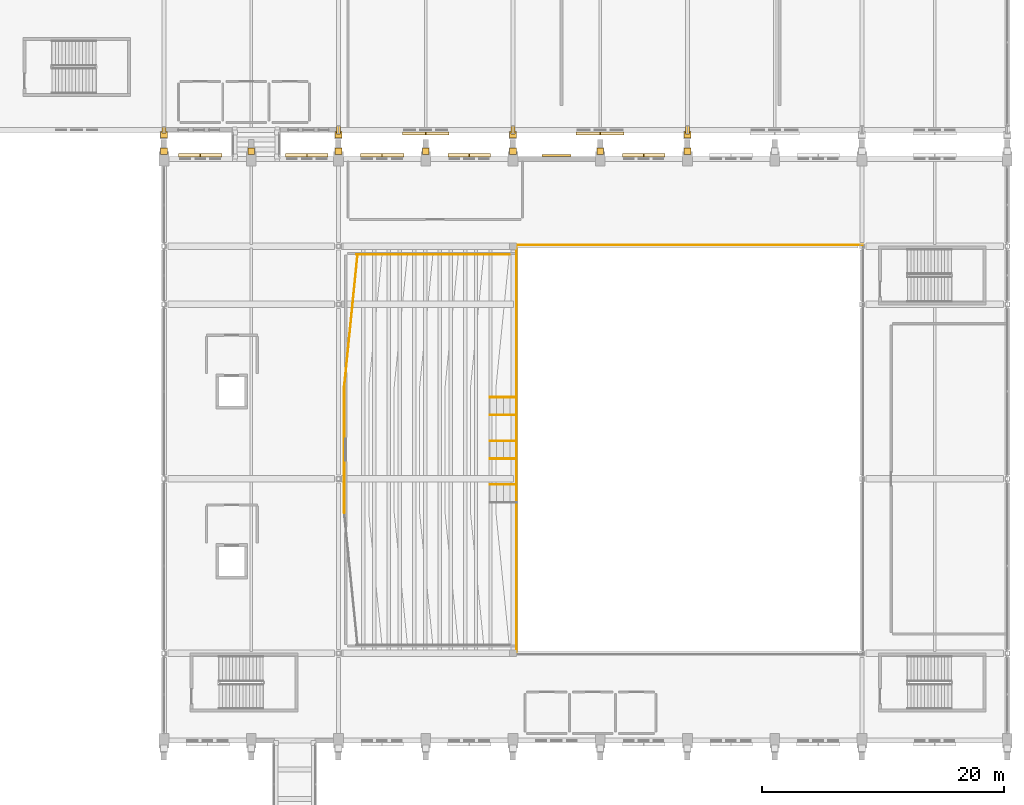
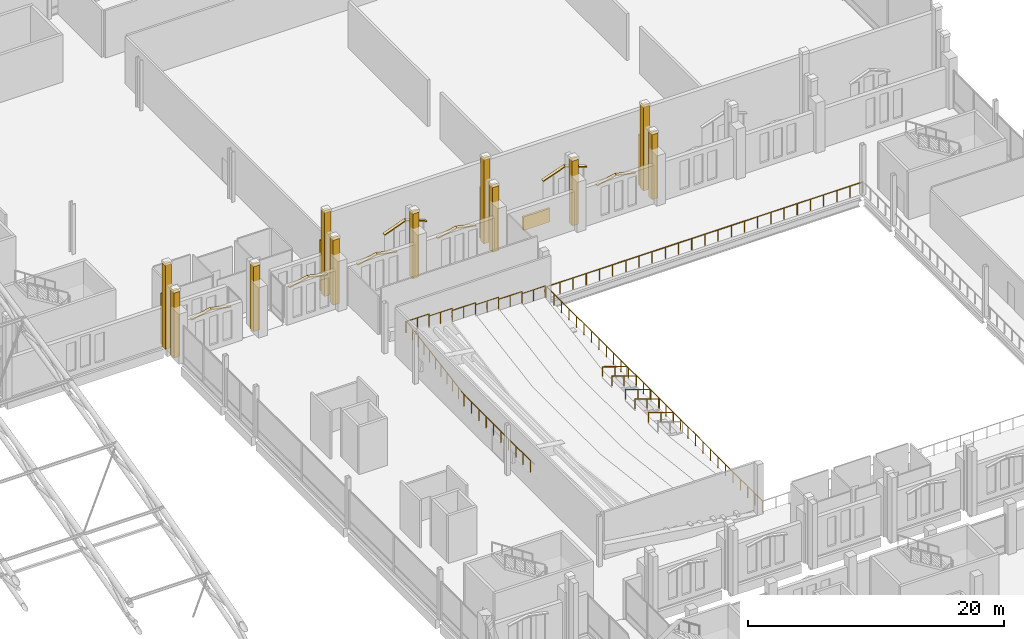
# One storey, part 187 of 193: 29 coverings, 15 railings, 1 shading device.
"""IFC4 building model written with IfcOpenShell, lengths in metres."""

from ifc_helpers import new_model, si_unit, direction, frame, origin, origin_2d, place, context, subcontext, project, spatial, polyline, rectangle, circle, outline, extrude, material, layer, layer_set, type_object, element, save


model = new_model("IFC4")

# Units and contexts
model_context = context("Model", 3, precision=1e-05, world=origin(), true_north=direction((0.0, 1.0)))
body_context = subcontext(model_context, "Body", "Model", "MODEL_VIEW")
ifc_project = project(units=[si_unit("LENGTHUNIT", "METRE"), si_unit("AREAUNIT", "SQUARE_METRE"), si_unit("VOLUMEUNIT", "CUBIC_METRE"), si_unit("PLANEANGLEUNIT", "RADIAN"), si_unit("MASSUNIT", "GRAM", prefix="KILO")], contexts=[model_context])

# Site, building, storey
site_placement = place(None, origin())
site = spatial("IfcSite", under=ifc_project, at=site_placement, CompositionType="ELEMENT")
building_placement = place(site_placement, origin())
building = spatial("IfcBuilding", under=site, at=building_placement, Name="Cendralis Lancet Convention Centre", CompositionType="ELEMENT")
storey_placement = place(building_placement, frame((0.0, 0.0, 10.199951171875)))
storey = spatial("IfcBuildingStorey", under=building, at=storey_placement, Name="L02", CompositionType="ELEMENT", Elevation=10.199951171875)

# Coverings
ifc_material_1 = material(Name="Warm buff sandstone chevron cassette", Category="masonry")
ifc_layer = layer(ifc_material_1, 0.06005859375, Name="Warm buff sandstone chevron cassette")
ifc_layer_set = layer_set([ifc_layer], Name="Warm buff sandstone chevron cassette")
covering_type = type_object("IfcCoveringType", Name="ARC-CV-CLAD1", PredefinedType="CLADDING", material=ifc_layer_set)
covering_1_placement = place(storey_placement, frame((140.404052734375, 91.64990234375, 3.27001953125), z_axis=(-0.205041599325, 0.0, 0.978753259277), x_axis=(0.0, -1.0, 0.0)))
element("IfcCovering", 1, at=covering_1_placement, inside=storey, type_object=covering_type, Name="L02 Gothic Pointed Lancet Hood-Mould #0149L", PredefinedType="CLADDING", context=body_context, shape_type="SweptSolid", body=[
    extrude(outline(polyline([(0.0, 0.0), (0.284912109375, 0.0), (0.284912109375, 1.8288971664027145), (0.0, 1.8288971664027145), (0.0, 0.0)])), origin(), (0.0, 0.0, -1.0), 0.090087890625),
])
covering_2_placement = place(storey_placement, frame((142.214111328125, 91.64990234375, 3.64501953125), z_axis=(0.205068392333, 0.0, 0.978747645957), x_axis=(0.0, -1.0, 0.0)))
element("IfcCovering", 2, at=covering_2_placement, inside=storey, type_object=covering_type, Name="L02 Gothic Pointed Lancet Hood-Mould #0150R", PredefinedType="CLADDING", context=body_context, shape_type="SweptSolid", body=[
    extrude(outline(polyline([(0.0, 0.0), (0.284912109375, 0.0), (0.284912109375, 1.8286582136554488), (0.0, 1.8286582136554488), (0.0, 0.0)])), origin(), (0.0, 0.0, -1.0), 0.090087890625),
])
for number, where, z_axis, x_axis, name in (
    (3, (149.236083984375, 91.64990234375, 3.27001953125), (-0.209529088731, 0.0, 0.977802414077), (0.0, -1.0, 0.0), "L02 Gothic Pointed Lancet Hood-Mould #0151L"),
    (4, (151.006103515625, 91.64990234375, 3.64501953125), (0.209529088731, 0.0, 0.977802414077), (0.0, -1.0, 0.0), "L02 Gothic Pointed Lancet Hood-Mould #0152R"),
):
    element("IfcCovering", number, at=place(storey_placement, frame(where, z_axis=z_axis, x_axis=x_axis)), inside=storey, type_object=covering_type, Name=name, PredefinedType="CLADDING", context=body_context, shape_type="SweptSolid", body=[
        extrude(outline(polyline([(0.0, 0.0), (0.284912109375, 0.0), (0.284912109375, 1.789727632909544), (0.0, 1.789727632909544), (0.0, 0.0)])), origin(), (0.0, 0.0, -1.0), 0.090087890625),
    ])
for number, where, z_axis, x_axis, name in (
    (5, (155.39990234375, 91.64990234375, 3.27001953125), (-0.205041599325, 0.0, 0.978753259277), (0.0, -1.0, 0.0), "L02 Gothic Pointed Lancet Hood-Mould #0153L"),
    (6, (157.2099609375, 91.64990234375, 3.64501953125), (0.205041599325, 0.0, 0.978753259277), (0.0, -1.0, 0.0), "L02 Gothic Pointed Lancet Hood-Mould #0154R"),
):
    element("IfcCovering", number, at=place(storey_placement, frame(where, z_axis=z_axis, x_axis=x_axis)), inside=storey, type_object=covering_type, Name=name, PredefinedType="CLADDING", context=body_context, shape_type="SweptSolid", body=[
        extrude(outline(polyline([(0.0, 0.0), (0.284912109375, 0.0), (0.284912109375, 1.8288971664027145), (0.0, 1.8288971664027145), (0.0, 0.0)])), origin(), (0.0, 0.0, -1.0), 0.090087890625),
    ])
for number, where, z_axis, x_axis, name in (
    (7, (162.639892578125, 91.64990234375, 3.27001953125), (-0.209529088731, 0.0, 0.977802414077), (0.0, -1.0, 0.0), "L02 Gothic Pointed Lancet Hood-Mould #0155L"),
    (8, (164.409912109375, 91.64990234375, 3.64501953125), (0.209529088731, 0.0, 0.977802414077), (0.0, -1.0, 0.0), "L02 Gothic Pointed Lancet Hood-Mould #0156R"),
    (9, (177.0400390625, 91.64990234375, 3.27001953125), (-0.209529088731, 0.0, 0.977802414077), (0.0, -1.0, 0.0), "L02 Gothic Pointed Lancet Hood-Mould #0157L"),
    (10, (178.81005859375, 91.64990234375, 3.64501953125), (0.209529088731, 0.0, 0.977802414077), (0.0, -1.0, 0.0), "L02 Gothic Pointed Lancet Hood-Mould #0158R"),
):
    element("IfcCovering", number, at=place(storey_placement, frame(where, z_axis=z_axis, x_axis=x_axis)), inside=storey, type_object=covering_type, Name=name, PredefinedType="CLADDING", context=body_context, shape_type="SweptSolid", body=[
        extrude(outline(polyline([(0.0, 0.0), (0.284912109375, 0.0), (0.284912109375, 1.789727632909544), (0.0, 1.789727632909544), (0.0, 0.0)])), origin(), (0.0, 0.0, -1.0), 0.090087890625),
    ])
covering_3_placement = place(storey_placement, origin())
element("IfcCovering", 11, at=covering_3_placement, inside=storey, type_object=covering_type, Name="Gothic Stepped Stone Buttress Shaft #0032", PredefinedType="CLADDING", context=body_context, shape_type="SweptSolid", body=[
    extrude(outline(polyline([(139.47998046875, 92.10009765625), (138.919921875, 92.10009765625), (138.919921875, 91.570068359375), (139.47998046875, 91.570068359375), (139.47998046875, 92.10009765625)])), origin(), (0.0, 0.0, 1.0), 6.199951171875),
])
covering_4_placement = place(storey_placement, origin())
element("IfcCovering", 12, at=covering_4_placement, inside=storey, type_object=covering_type, Name="Gothic Stepped Stone Buttress Shaft #0034", PredefinedType="CLADDING", context=body_context, shape_type="SweptSolid", body=[
    extrude(outline(polyline([(146.679931640625, 92.10009765625), (146.1201171875, 92.10009765625), (146.1201171875, 91.570068359375), (146.679931640625, 91.570068359375), (146.679931640625, 92.10009765625)])), origin(), (0.0, 0.0, 1.0), 6.199951171875),
])
covering_5_placement = place(storey_placement, origin())
element("IfcCovering", 13, at=covering_5_placement, inside=storey, type_object=covering_type, Name="Gothic Stepped Stone Buttress Shaft #0036", PredefinedType="CLADDING", context=body_context, shape_type="SweptSolid", body=[
    extrude(outline(polyline([(153.8798828125, 92.10009765625), (153.320068359375, 92.10009765625), (153.320068359375, 91.570068359375), (153.8798828125, 91.570068359375), (153.8798828125, 92.10009765625)])), origin(), (0.0, 0.0, 1.0), 6.199951171875),
])
covering_6_placement = place(storey_placement, origin())
element("IfcCovering", 14, at=covering_6_placement, inside=storey, type_object=covering_type, Name="Gothic Stepped Stone Buttress Shaft #0038", PredefinedType="CLADDING", context=body_context, shape_type="SweptSolid", body=[
    extrude(outline(polyline([(161.080078125, 92.10009765625), (160.52001953125, 92.10009765625), (160.52001953125, 91.570068359375), (161.080078125, 91.570068359375), (161.080078125, 92.10009765625)])), origin(), (0.0, 0.0, 1.0), 6.199951171875),
])
covering_7_placement = place(storey_placement, origin())
element("IfcCovering", 15, at=covering_7_placement, inside=storey, type_object=covering_type, Name="Gothic Stepped Stone Buttress Shaft #0040", PredefinedType="CLADDING", context=body_context, shape_type="SweptSolid", body=[
    extrude(outline(polyline([(168.280029296875, 92.10009765625), (167.719970703125, 92.10009765625), (167.719970703125, 91.570068359375), (168.280029296875, 91.570068359375), (168.280029296875, 92.10009765625)])), origin(), (0.0, 0.0, 1.0), 6.199951171875),
])
covering_8_placement = place(storey_placement, origin())
element("IfcCovering", 16, at=covering_8_placement, inside=storey, type_object=covering_type, Name="Gothic Stepped Stone Buttress Shaft #0042", PredefinedType="CLADDING", context=body_context, shape_type="SweptSolid", body=[
    extrude(outline(polyline([(175.47998046875, 92.10009765625), (174.919921875, 92.10009765625), (174.919921875, 91.570068359375), (175.47998046875, 91.570068359375), (175.47998046875, 92.10009765625)])), origin(), (0.0, 0.0, 1.0), 6.199951171875),
])
covering_9_placement = place(storey_placement, origin())
element("IfcCovering", 17, at=covering_9_placement, inside=storey, type_object=covering_type, Name="Gothic Stepped Stone Buttress Shaft #0044", PredefinedType="CLADDING", context=body_context, shape_type="SweptSolid", body=[
    extrude(outline(polyline([(182.679931640625, 92.10009765625), (182.1201171875, 92.10009765625), (182.1201171875, 91.570068359375), (182.679931640625, 91.570068359375), (182.679931640625, 92.10009765625)])), origin(), (0.0, 0.0, 1.0), 6.199951171875),
])
covering_10_placement = place(storey_placement, frame((162.719970703125, 93.159912109375, 3.820068359375), z_axis=(0.35273522267, 0.0, 0.935723176312), x_axis=(0.0, 1.0, 0.0)))
element("IfcCovering", 18, at=covering_10_placement, inside=storey, type_object=covering_type, Name="L02 Gothic Pointed Lancet Hood-Mould #0211L", PredefinedType="CLADDING", context=body_context, shape_type="SweptSolid", body=[
    extrude(outline(polyline([(0.0, 0.0), (0.28515625, 0.0), (0.28515625, 2.041108051744338), (0.0, 2.041108051744338), (0.0, 0.0)])), origin(), (0.0, 0.0, -1.0), 0.090087890625),
])
covering_11_placement = place(storey_placement, frame((160.7900390625, 93.159912109375, 4.5400390625), z_axis=(-0.352695747399, 0.0, 0.935738056171), x_axis=(0.0, 1.0, 0.0)))
element("IfcCovering", 19, at=covering_11_placement, inside=storey, type_object=covering_type, Name="L02 Gothic Pointed Lancet Hood-Mould #0212R", PredefinedType="CLADDING", context=body_context, shape_type="SweptSolid", body=[
    extrude(outline(polyline([(0.0, 0.0), (0.28515625, 0.0), (0.28515625, 2.041336501601921), (0.0, 2.041336501601921), (0.0, 0.0)])), origin(), (0.0, 0.0, -1.0), 0.090087890625),
])
for number, where, z_axis, x_axis, name in (
    (20, (177.179931640625, 93.159912109375, 3.93994140625), (0.343368699435, 0.0, 0.939200690081), (0.0, 1.0, 0.0), "L02 Gothic Pointed Lancet Hood-Mould #0213L"),
    (21, (175.18994140625, 93.159912109375, 4.66015625), (-0.343368699435, 0.0, 0.939200690081), (0.0, 1.0, 0.0), "L02 Gothic Pointed Lancet Hood-Mould #0214R"),
):
    element("IfcCovering", number, at=place(storey_placement, frame(where, z_axis=z_axis, x_axis=x_axis)), inside=storey, type_object=covering_type, Name=name, PredefinedType="CLADDING", context=body_context, shape_type="SweptSolid", body=[
        extrude(outline(polyline([(0.0, 0.0), (0.28515625, 0.0), (0.28515625, 2.097497078026247), (0.0, 2.097497078026247), (0.0, 0.0)])), origin(), (0.0, 0.0, -1.0), 0.090087890625),
    ])
covering_12_placement = place(storey_placement, origin())
element("IfcCovering", 22, at=covering_12_placement, inside=storey, type_object=covering_type, Name="Gothic Stepped Stone Buttress Shaft #0053", PredefinedType="CLADDING", context=body_context, shape_type="SweptSolid", body=[
    extrude(outline(polyline([(138.919921875, 92.919921875), (139.47998046875, 92.919921875), (139.47998046875, 93.449951171875), (138.919921875, 93.449951171875), (138.919921875, 92.919921875)])), origin(), (0.0, 0.0, 1.0), 8.0),
])
covering_13_placement = place(storey_placement, origin())
element("IfcCovering", 23, at=covering_13_placement, inside=storey, type_object=covering_type, Name="Gothic Stepped Stone Buttress Shaft #0055", PredefinedType="CLADDING", context=body_context, shape_type="SweptSolid", body=[
    extrude(outline(polyline([(153.320068359375, 92.919921875), (153.8798828125, 92.919921875), (153.8798828125, 93.449951171875), (153.320068359375, 93.449951171875), (153.320068359375, 92.919921875)])), origin(), (0.0, 0.0, 1.0), 8.0),
])
covering_14_placement = place(storey_placement, origin())
element("IfcCovering", 24, at=covering_14_placement, inside=storey, type_object=covering_type, Name="Gothic Stepped Stone Buttress Shaft #0057", PredefinedType="CLADDING", context=body_context, shape_type="SweptSolid", body=[
    extrude(outline(polyline([(167.719970703125, 92.919921875), (168.280029296875, 92.919921875), (168.280029296875, 93.449951171875), (167.719970703125, 93.449951171875), (167.719970703125, 92.919921875)])), origin(), (0.0, 0.0, 1.0), 8.0),
])
covering_15_placement = place(storey_placement, origin())
element("IfcCovering", 25, at=covering_15_placement, inside=storey, type_object=covering_type, Name="Gothic Stepped Stone Buttress Shaft #0059", PredefinedType="CLADDING", context=body_context, shape_type="SweptSolid", body=[
    extrude(outline(polyline([(182.1201171875, 92.919921875), (182.679931640625, 92.919921875), (182.679931640625, 93.449951171875), (182.1201171875, 93.449951171875), (182.1201171875, 92.919921875)])), origin(), (0.0, 0.0, 1.0), 8.0),
])
covering_16_placement = place(storey_placement, origin())
element("IfcCovering", 26, at=covering_16_placement, inside=storey, type_object=covering_type, Name="Exterior Column Stone Fire-Casing L02 #046", PredefinedType="CLADDING", context=body_context, shape_type="SweptSolid", body=[
    extrude(outline(polyline([(139.0380859375, 93.337890625), (139.362060546875, 93.337890625), (139.362060546875, 93.862060546875), (139.0380859375, 93.862060546875), (139.0380859375, 93.337890625)])), origin(), (0.0, 0.0, 1.0), 4.800048828125),
])
covering_17_placement = place(storey_placement, origin())
element("IfcCovering", 27, at=covering_17_placement, inside=storey, type_object=covering_type, Name="Exterior Column Stone Fire-Casing L02 #054", PredefinedType="CLADDING", context=body_context, shape_type="SweptSolid", body=[
    extrude(outline(polyline([(153.43798828125, 93.262939453125), (153.761962890625, 93.262939453125), (153.761962890625, 93.93701171875), (153.43798828125, 93.93701171875), (153.43798828125, 93.262939453125)])), origin(), (0.0, 0.0, 1.0), 4.800048828125),
])
covering_18_placement = place(storey_placement, origin())
element("IfcCovering", 28, at=covering_18_placement, inside=storey, type_object=covering_type, Name="Exterior Column Stone Fire-Casing L02 #060", PredefinedType="CLADDING", context=body_context, shape_type="SweptSolid", body=[
    extrude(outline(polyline([(167.837890625, 93.262939453125), (168.162109375, 93.262939453125), (168.162109375, 93.93701171875), (167.837890625, 93.93701171875), (167.837890625, 93.262939453125)])), origin(), (0.0, 0.0, 1.0), 4.800048828125),
])
covering_19_placement = place(storey_placement, origin())
element("IfcCovering", 29, at=covering_19_placement, inside=storey, type_object=covering_type, Name="Exterior Column Stone Fire-Casing L02 #066", PredefinedType="CLADDING", context=body_context, shape_type="SweptSolid", body=[
    extrude(outline(polyline([(182.238037109375, 93.262939453125), (182.56201171875, 93.262939453125), (182.56201171875, 93.93701171875), (182.238037109375, 93.93701171875), (182.238037109375, 93.262939453125)])), origin(), (0.0, 0.0, 1.0), 4.800048828125),
])

# Railings
ifc_material_2 = material(Name="Steel S355", Category="steel")
railing_type_1 = type_object("IfcRailingType", Name="ARC-RL-IG01", PredefinedType="GUARDRAIL", material=ifc_material_2)
railing_1_placement = place(storey_placement, frame((196.89990234375, 84.10009765625, 0.0)))
element("IfcRailing", 30, at=railing_1_placement, inside=storey, type_object=railing_type_1, Name="L02 Atrium Void Guardrail GD-IN1 #011", PredefinedType="GUARDRAIL", context=body_context, shape_type="SweptSolid", body=[
    extrude(circle(Radius=0.02392578125, at=origin_2d()), frame((0.0, 0.0, 1.076171875), z_axis=(-1.0, 0.0, 0.0), x_axis=(0.0, -1.0, 0.0)), (0.0, 0.0, 1.0), 28.599853515625),
    extrude(circle(Radius=0.02099609375, at=origin_2d()), origin(), (0.0, 0.0, 1.0), 1.052001953125),
    extrude(circle(Radius=0.02099609375, at=origin_2d()), frame((-1.191650390625, 0.0, 0.0)), (0.0, 0.0, 1.0), 1.052001953125),
    extrude(circle(Radius=0.02099609375, at=origin_2d()), frame((-2.38330078125, 0.0, 0.0)), (0.0, 0.0, 1.0), 1.052001953125),
    extrude(circle(Radius=0.02099609375, at=origin_2d()), frame((-3.574951171875, 0.0, 0.0)), (0.0, 0.0, 1.0), 1.052001953125),
    extrude(circle(Radius=0.02099609375, at=origin_2d()), frame((-4.7666015625, 0.0, 0.0)), (0.0, 0.0, 1.0), 1.052001953125),
    extrude(circle(Radius=0.02099609375, at=origin_2d()), frame((-5.958251953125, 0.0, 0.0)), (0.0, 0.0, 1.0), 1.052001953125),
    extrude(circle(Radius=0.02099609375, at=origin_2d()), frame((-7.14990234375, 0.0, 0.0)), (0.0, 0.0, 1.0), 1.052001953125),
    extrude(circle(Radius=0.02099609375, at=origin_2d()), frame((-8.341552734375, 0.0, 0.0)), (0.0, 0.0, 1.0), 1.052001953125),
    extrude(circle(Radius=0.02099609375, at=origin_2d()), frame((-9.533203125, 0.0, 0.0)), (0.0, 0.0, 1.0), 1.052001953125),
    extrude(circle(Radius=0.02099609375, at=origin_2d()), frame((-10.724853515625, 0.0, 0.0)), (0.0, 0.0, 1.0), 1.052001953125),
    extrude(circle(Radius=0.02099609375, at=origin_2d()), frame((-11.91650390625, 0.0, 0.0)), (0.0, 0.0, 1.0), 1.052001953125),
    extrude(circle(Radius=0.02099609375, at=origin_2d()), frame((-13.108154296875, 0.0, 0.0)), (0.0, 0.0, 1.0), 1.052001953125),
    extrude(circle(Radius=0.02099609375, at=origin_2d()), frame((-14.2998046875, 0.0, 0.0)), (0.0, 0.0, 1.0), 1.052001953125),
    extrude(circle(Radius=0.02099609375, at=origin_2d()), frame((-15.49169921875, 0.0, 0.0)), (0.0, 0.0, 1.0), 1.052001953125),
    extrude(circle(Radius=0.02099609375, at=origin_2d()), frame((-16.683349609375, 0.0, 0.0)), (0.0, 0.0, 1.0), 1.052001953125),
    extrude(circle(Radius=0.02099609375, at=origin_2d()), frame((-17.875, 0.0, 0.0)), (0.0, 0.0, 1.0), 1.052001953125),
    extrude(circle(Radius=0.02099609375, at=origin_2d()), frame((-19.066650390625, 0.0, 0.0)), (0.0, 0.0, 1.0), 1.052001953125),
    extrude(circle(Radius=0.02099609375, at=origin_2d()), frame((-20.25830078125, 0.0, 0.0)), (0.0, 0.0, 1.0), 1.052001953125),
    extrude(circle(Radius=0.02099609375, at=origin_2d()), frame((-21.449951171875, 0.0, 0.0)), (0.0, 0.0, 1.0), 1.052001953125),
    extrude(circle(Radius=0.02099609375, at=origin_2d()), frame((-22.6416015625, 0.0, 0.0)), (0.0, 0.0, 1.0), 1.052001953125),
    extrude(circle(Radius=0.02099609375, at=origin_2d()), frame((-23.833251953125, 0.0, 0.0)), (0.0, 0.0, 1.0), 1.052001953125),
    extrude(circle(Radius=0.02099609375, at=origin_2d()), frame((-25.02490234375, 0.0, 0.0)), (0.0, 0.0, 1.0), 1.052001953125),
    extrude(circle(Radius=0.02099609375, at=origin_2d()), frame((-26.216552734375, 0.0, 0.0)), (0.0, 0.0, 1.0), 1.052001953125),
    extrude(circle(Radius=0.02099609375, at=origin_2d()), frame((-27.408203125, 0.0, 0.0)), (0.0, 0.0, 1.0), 1.052001953125),
    extrude(circle(Radius=0.02099609375, at=origin_2d()), frame((-28.599853515625, 0.0, 0.0)), (0.0, 0.0, 1.0), 1.052001953125),
])
railing_2_placement = place(storey_placement, frame((168.300048828125, 84.10009765625, 0.0)))
element("IfcRailing", 31, at=railing_2_placement, inside=storey, type_object=railing_type_1, Name="L02 Atrium Void Guardrail GD-IN1 #012", PredefinedType="GUARDRAIL", context=body_context, shape_type="SweptSolid", body=[
    extrude(circle(Radius=0.02392578125, at=origin_2d()), frame((0.0, 0.0, 1.076171875), z_axis=(0.0, -1.0, 0.0), x_axis=(1.0, 0.0, 0.0)), (0.0, 0.0, 1.0), 33.800048828125),
    extrude(circle(Radius=0.02099609375, at=origin_2d()), origin(), (0.0, 0.0, 1.0), 1.052001953125),
    extrude(circle(Radius=0.02099609375, at=origin_2d()), frame((0.0, -1.16552734375, 0.0)), (0.0, 0.0, 1.0), 1.052001953125),
    extrude(circle(Radius=0.02099609375, at=origin_2d()), frame((0.0, -2.3310546875, 0.0)), (0.0, 0.0, 1.0), 1.052001953125),
    extrude(circle(Radius=0.02099609375, at=origin_2d()), frame((0.0, -3.49658203125, 0.0)), (0.0, 0.0, 1.0), 1.052001953125),
    extrude(circle(Radius=0.02099609375, at=origin_2d()), frame((0.0, -4.662109375, 0.0)), (0.0, 0.0, 1.0), 1.052001953125),
    extrude(circle(Radius=0.02099609375, at=origin_2d()), frame((0.0, -5.82763671875, 0.0)), (0.0, 0.0, 1.0), 1.052001953125),
    extrude(circle(Radius=0.02099609375, at=origin_2d()), frame((0.0, -6.9931640625, 0.0)), (0.0, 0.0, 1.0), 1.052001953125),
    extrude(circle(Radius=0.02099609375, at=origin_2d()), frame((0.0, -8.15869140625, 0.0)), (0.0, 0.0, 1.0), 1.052001953125),
    extrude(circle(Radius=0.02099609375, at=origin_2d()), frame((0.0, -9.32421875, 0.0)), (0.0, 0.0, 1.0), 1.052001953125),
    extrude(circle(Radius=0.02099609375, at=origin_2d()), frame((0.0, -10.48974609375, 0.0)), (0.0, 0.0, 1.0), 1.052001953125),
    extrude(circle(Radius=0.02099609375, at=origin_2d()), frame((0.0, -11.6552734375, 0.0)), (0.0, 0.0, 1.0), 1.052001953125),
    extrude(circle(Radius=0.02099609375, at=origin_2d()), frame((0.0, -12.82080078125, 0.0)), (0.0, 0.0, 1.0), 1.052001953125),
    extrude(circle(Radius=0.02099609375, at=origin_2d()), frame((0.0, -13.986328125, 0.0)), (0.0, 0.0, 1.0), 1.052001953125),
    extrude(circle(Radius=0.02099609375, at=origin_2d()), frame((0.0, -15.15185546875, 0.0)), (0.0, 0.0, 1.0), 1.052001953125),
    extrude(circle(Radius=0.02099609375, at=origin_2d()), frame((0.0, -16.3173828125, 0.0)), (0.0, 0.0, 1.0), 1.052001953125),
    extrude(circle(Radius=0.02099609375, at=origin_2d()), frame((0.0, -17.482666015625, 0.0)), (0.0, 0.0, 1.0), 1.052001953125),
    extrude(circle(Radius=0.02099609375, at=origin_2d()), frame((0.0, -18.648193359375, 0.0)), (0.0, 0.0, 1.0), 1.052001953125),
    extrude(circle(Radius=0.02099609375, at=origin_2d()), frame((0.0, -19.813720703125, 0.0)), (0.0, 0.0, 1.0), 1.052001953125),
    extrude(circle(Radius=0.02099609375, at=origin_2d()), frame((0.0, -20.979248046875, 0.0)), (0.0, 0.0, 1.0), 1.052001953125),
    extrude(circle(Radius=0.02099609375, at=origin_2d()), frame((0.0, -22.144775390625, 0.0)), (0.0, 0.0, 1.0), 1.052001953125),
    extrude(circle(Radius=0.02099609375, at=origin_2d()), frame((0.0, -23.310302734375, 0.0)), (0.0, 0.0, 1.0), 1.052001953125),
    extrude(circle(Radius=0.02099609375, at=origin_2d()), frame((0.0, -24.475830078125, 0.0)), (0.0, 0.0, 1.0), 1.052001953125),
    extrude(circle(Radius=0.02099609375, at=origin_2d()), frame((0.0, -25.641357421875, 0.0)), (0.0, 0.0, 1.0), 1.052001953125),
    extrude(circle(Radius=0.02099609375, at=origin_2d()), frame((0.0, -26.806884765625, 0.0)), (0.0, 0.0, 1.0), 1.052001953125),
    extrude(circle(Radius=0.02099609375, at=origin_2d()), frame((0.0, -27.972412109375, 0.0)), (0.0, 0.0, 1.0), 1.052001953125),
    extrude(circle(Radius=0.02099609375, at=origin_2d()), frame((0.0, -29.137939453125, 0.0)), (0.0, 0.0, 1.0), 1.052001953125),
    extrude(circle(Radius=0.02099609375, at=origin_2d()), frame((0.0, -30.303466796875, 0.0)), (0.0, 0.0, 1.0), 1.052001953125),
    extrude(circle(Radius=0.02099609375, at=origin_2d()), frame((0.0, -31.468994140625, 0.0)), (0.0, 0.0, 1.0), 1.052001953125),
    extrude(circle(Radius=0.02099609375, at=origin_2d()), frame((0.0, -32.634521484375, 0.0)), (0.0, 0.0, 1.0), 1.052001953125),
    extrude(circle(Radius=0.02099609375, at=origin_2d()), frame((0.0, -33.800048828125, 0.0)), (0.0, 0.0, 1.0), 1.052001953125),
])
railing_3_placement = place(storey_placement, frame((165.60009765625, 83.320068359375, 0.75)))
element("IfcRailing", 32, at=railing_3_placement, inside=storey, type_object=railing_type_1, Name="Plenary Upper Stand Side Crowd Guardrail #051", PredefinedType="GUARDRAIL", context=body_context, shape_type="SweptSolid", body=[
    extrude(circle(Radius=0.02392578125, at=origin_2d()), frame((0.0, 0.0, 1.076171875), z_axis=(1.0, 0.0, 0.0), x_axis=(0.0, 1.0, 0.0)), (0.0, 0.0, 1.0), 2.099853515625),
    extrude(circle(Radius=0.02099609375, at=origin_2d()), origin(), (0.0, 0.0, 1.0), 1.052001953125),
    extrude(circle(Radius=0.02099609375, at=origin_2d()), frame((1.0498046875, 0.0, 0.0)), (0.0, 0.0, 1.0), 1.052001953125),
    extrude(circle(Radius=0.02099609375, at=origin_2d()), frame((2.099853515625, 0.0, 0.0)), (0.0, 0.0, 1.0), 1.052001953125),
])
for number, where, name in (
    (33, (163.5, 83.320068359375, 0.949951171875), "Plenary Upper Stand Side Crowd Guardrail #053"),
    (34, (161.39990234375, 83.320068359375, 1.150146484375), "Plenary Upper Stand Side Crowd Guardrail #055"),
):
    element("IfcRailing", number, at=place(storey_placement, frame(where)), inside=storey, type_object=railing_type_1, Name=name, PredefinedType="GUARDRAIL", context=body_context, shape_type="SweptSolid", body=[
        extrude(circle(Radius=0.02392578125, at=origin_2d()), frame((0.0, 0.0, 1.076171875), z_axis=(1.0, 0.0, 0.0), x_axis=(0.0, 1.0, 0.0)), (0.0, 0.0, 1.0), 2.10009765625),
        extrude(circle(Radius=0.02099609375, at=origin_2d()), origin(), (0.0, 0.0, 1.0), 1.052001953125),
        extrude(circle(Radius=0.02099609375, at=origin_2d()), frame((1.050048828125, 0.0, 0.0)), (0.0, 0.0, 1.0), 1.052001953125),
        extrude(circle(Radius=0.02099609375, at=origin_2d()), frame((2.10009765625, 0.0, 0.0)), (0.0, 0.0, 1.0), 1.052001953125),
    ])
railing_4_placement = place(storey_placement, frame((159.300048828125, 83.320068359375, 1.35009765625)))
element("IfcRailing", 35, at=railing_4_placement, inside=storey, type_object=railing_type_1, Name="Plenary Upper Stand Side Crowd Guardrail #057", PredefinedType="GUARDRAIL", context=body_context, shape_type="SweptSolid", body=[
    extrude(circle(Radius=0.02392578125, at=origin_2d()), frame((0.0, 0.0, 1.076171875), z_axis=(1.0, 0.0, 0.0), x_axis=(0.0, 1.0, 0.0)), (0.0, 0.0, 1.0), 2.099853515625),
    extrude(circle(Radius=0.02099609375, at=origin_2d()), origin(), (0.0, 0.0, 1.0), 1.052001953125),
    extrude(circle(Radius=0.02099609375, at=origin_2d()), frame((1.0498046875, 0.0, 0.0)), (0.0, 0.0, 1.0), 1.052001953125),
    extrude(circle(Radius=0.02099609375, at=origin_2d()), frame((2.099853515625, 0.0, 0.0)), (0.0, 0.0, 1.0), 1.052001953125),
])
railing_5_placement = place(storey_placement, frame((157.199951171875, 83.320068359375, 1.550048828125)))
element("IfcRailing", 36, at=railing_5_placement, inside=storey, type_object=railing_type_1, Name="Plenary Upper Stand Side Crowd Guardrail #059", PredefinedType="GUARDRAIL", context=body_context, shape_type="SweptSolid", body=[
    extrude(circle(Radius=0.02392578125, at=origin_2d()), frame((0.0, 0.0, 1.076171875), z_axis=(1.0, 0.0, 0.0), x_axis=(0.0, 1.0, 0.0)), (0.0, 0.0, 1.0), 2.10009765625),
    extrude(circle(Radius=0.02099609375, at=origin_2d()), origin(), (0.0, 0.0, 1.0), 1.052001953125),
    extrude(circle(Radius=0.02099609375, at=origin_2d()), frame((1.050048828125, 0.0, 0.0)), (0.0, 0.0, 1.0), 1.052001953125),
    extrude(circle(Radius=0.02099609375, at=origin_2d()), frame((2.10009765625, 0.0, 0.0)), (0.0, 0.0, 1.0), 1.052001953125),
])
railing_6_placement = place(storey_placement, frame((155.10009765625, 83.320068359375, 1.75)))
element("IfcRailing", 37, at=railing_6_placement, inside=storey, type_object=railing_type_1, Name="Plenary Upper Stand Side Crowd Guardrail #061", PredefinedType="GUARDRAIL", context=body_context, shape_type="SweptSolid", body=[
    extrude(circle(Radius=0.02392578125, at=origin_2d()), frame((0.0, 0.0, 1.076171875), z_axis=(1.0, 0.0, 0.0), x_axis=(0.0, 1.0, 0.0)), (0.0, 0.0, 1.0), 2.099853515625),
    extrude(circle(Radius=0.02099609375, at=origin_2d()), origin(), (0.0, 0.0, 1.0), 1.052001953125),
    extrude(circle(Radius=0.02099609375, at=origin_2d()), frame((1.0498046875, 0.0, 0.0)), (0.0, 0.0, 1.0), 1.052001953125),
    extrude(circle(Radius=0.02099609375, at=origin_2d()), frame((2.099853515625, 0.0, 0.0)), (0.0, 0.0, 1.0), 1.052001953125),
])
railing_7_placement = place(storey_placement, frame((154.080078125, 62.0, 1.75)))
element("IfcRailing", 38, at=railing_7_placement, inside=storey, type_object=railing_type_1, Name="Plenary Upper Stand Rear Crowd Guardrail #063", PredefinedType="GUARDRAIL", context=body_context, shape_type="SweptSolid", body=[
    extrude(circle(Radius=0.02392578125, at=origin_2d()), frame((0.0, 0.0, 1.076171875), z_axis=(0.0, 1.0, 0.0), x_axis=(-1.0, 0.0, 0.0)), (0.0, 0.0, 1.0), 10.39990234375),
    extrude(circle(Radius=0.02099609375, at=origin_2d()), origin(), (0.0, 0.0, 1.0), 1.052001953125),
    extrude(circle(Radius=0.02099609375, at=origin_2d()), frame((0.0, 1.155517578125, 0.0)), (0.0, 0.0, 1.0), 1.052001953125),
    extrude(circle(Radius=0.02099609375, at=origin_2d()), frame((0.0, 2.31103515625, 0.0)), (0.0, 0.0, 1.0), 1.052001953125),
    extrude(circle(Radius=0.02099609375, at=origin_2d()), frame((0.0, 3.466552734375, 0.0)), (0.0, 0.0, 1.0), 1.052001953125),
    extrude(circle(Radius=0.02099609375, at=origin_2d()), frame((0.0, 4.6220703125, 0.0)), (0.0, 0.0, 1.0), 1.052001953125),
    extrude(circle(Radius=0.02099609375, at=origin_2d()), frame((0.0, 5.77783203125, 0.0)), (0.0, 0.0, 1.0), 1.052001953125),
    extrude(circle(Radius=0.02099609375, at=origin_2d()), frame((0.0, 6.933349609375, 0.0)), (0.0, 0.0, 1.0), 1.052001953125),
    extrude(circle(Radius=0.02099609375, at=origin_2d()), frame((0.0, 8.0888671875, 0.0)), (0.0, 0.0, 1.0), 1.052001953125),
    extrude(circle(Radius=0.02099609375, at=origin_2d()), frame((0.0, 9.244384765625, 0.0)), (0.0, 0.0, 1.0), 1.052001953125),
    extrude(circle(Radius=0.02099609375, at=origin_2d()), frame((0.0, 10.39990234375, 0.0)), (0.0, 0.0, 1.0), 1.052001953125),
])
railing_8_placement = place(storey_placement, frame((154.080078125, 72.39990234375, 1.75)))
element("IfcRailing", 39, at=railing_8_placement, inside=storey, type_object=railing_type_1, Name="Plenary Upper Stand Rear Crowd Guardrail #064", PredefinedType="GUARDRAIL", context=body_context, shape_type="SweptSolid", body=[
    extrude(circle(Radius=0.02392578125, at=origin_2d()), frame((0.0, 0.0, 1.076171875), z_axis=(0.100210666886, 0.99496624176, 0.0), x_axis=(-0.99496624176, 0.100210666886, 0.0)), (0.0, 0.0, 1.0), 10.975341796875),
    extrude(circle(Radius=0.02099609375, at=origin_2d()), origin(), (0.0, 0.0, 1.0), 1.052001953125),
    extrude(circle(Radius=0.02099609375, at=origin_2d()), frame((0.10986328125, 1.092041015625, 0.0)), (0.0, 0.0, 1.0), 1.052001953125),
    extrude(circle(Radius=0.02099609375, at=origin_2d()), frame((0.219970703125, 2.18408203125, 0.0)), (0.0, 0.0, 1.0), 1.052001953125),
    extrude(circle(Radius=0.02099609375, at=origin_2d()), frame((0.330078125, 3.276123046875, 0.0)), (0.0, 0.0, 1.0), 1.052001953125),
    extrude(circle(Radius=0.02099609375, at=origin_2d()), frame((0.43994140625, 4.3681640625, 0.0)), (0.0, 0.0, 1.0), 1.052001953125),
    extrude(circle(Radius=0.02099609375, at=origin_2d()), frame((0.5498046875, 5.4599609375, 0.0)), (0.0, 0.0, 1.0), 1.052001953125),
    extrude(circle(Radius=0.02099609375, at=origin_2d()), frame((0.659912109375, 6.552001953125, 0.0)), (0.0, 0.0, 1.0), 1.052001953125),
    extrude(circle(Radius=0.02099609375, at=origin_2d()), frame((0.77001953125, 7.64404296875, 0.0)), (0.0, 0.0, 1.0), 1.052001953125),
    extrude(circle(Radius=0.02099609375, at=origin_2d()), frame((0.8798828125, 8.736083984375, 0.0)), (0.0, 0.0, 1.0), 1.052001953125),
    extrude(circle(Radius=0.02099609375, at=origin_2d()), frame((0.98974609375, 9.828125, 0.0)), (0.0, 0.0, 1.0), 1.052001953125),
    extrude(circle(Radius=0.02099609375, at=origin_2d()), frame((1.099853515625, 10.920166015625, 0.0)), (0.0, 0.0, 1.0), 1.052001953125),
])
railing_type_2 = type_object("IfcRailingType", Name="ARC-RL-IH01", PredefinedType="HANDRAIL", material=ifc_material_2)
for number, where, name in (
    (40, (168.300048828125, 64.340087890625, 0.150146484375), "Plenary Balcony Vomitory Gangway Stair VS-04 Handrail L"),
    (41, (168.300048828125, 67.93994140625, 0.150146484375), "Plenary Balcony Vomitory Gangway Stair VS-05 Handrail L"),
    (42, (168.300048828125, 66.4599609375, 0.150146484375), "Plenary Balcony Vomitory Gangway Stair VS-05 Handrail R"),
    (43, (168.300048828125, 71.5400390625, 0.150146484375), "Plenary Balcony Vomitory Gangway Stair VS-06 Handrail L"),
    (44, (168.300048828125, 70.06005859375, 0.150146484375), "Plenary Balcony Vomitory Gangway Stair VS-06 Handrail R"),
):
    element("IfcRailing", number, at=place(storey_placement, frame(where)), inside=storey, type_object=railing_type_2, Name=name, PredefinedType="HANDRAIL", context=body_context, shape_type="SweptSolid", body=[
        extrude(circle(Radius=0.02392578125, at=origin_2d()), frame((0.0, 0.0, 0.89599609375), z_axis=(-0.946508000853, 0.0, 0.322680343871), x_axis=(0.0, -1.0, 0.0)), (0.0, 0.0, 1.0), 2.32421875),
        extrude(circle(Radius=0.02099609375, at=origin_2d()), origin(), (0.0, 0.0, 1.0), 0.871826171875),
        extrude(circle(Radius=0.02099609375, at=origin_2d()), frame((-1.10009765625, 0.0, 0.375)), (0.0, 0.0, 1.0), 0.871826171875),
        extrude(circle(Radius=0.02099609375, at=origin_2d()), frame((-2.199951171875, 0.0, 0.75)), (0.0, 0.0, 1.0), 0.871826171875),
    ])

# Shading device
ifc_material_3 = material(Name="Anodised bronze architectural aluminium", Category="aluminium")
shading_device_type = type_object("IfcShadingDeviceType", Name="ARC-SH-JAL1", PredefinedType="JALOUSIE", material=ifc_material_3)
shading_device_placement = place(storey_placement, frame((171.60009765625, 91.47998046875, 1.25), z_axis=(0.0, 0.0, 1.0), x_axis=(1.0, 0.0, 0.0)))
element("IfcShadingDevice", 45, at=shading_device_placement, inside=storey, type_object=shading_device_type, Name="External Acoustic Louvre Bank LV-01 #038", PredefinedType="JALOUSIE", context=body_context, shape_type="SweptSolid", body=[
    extrude(rectangle(XDim=2.39990234375, YDim=0.179931640625, at=origin_2d()), origin(), (0.0, 0.0, 1.0), 1.300048828125),
])

save(model, "model.ifc")
